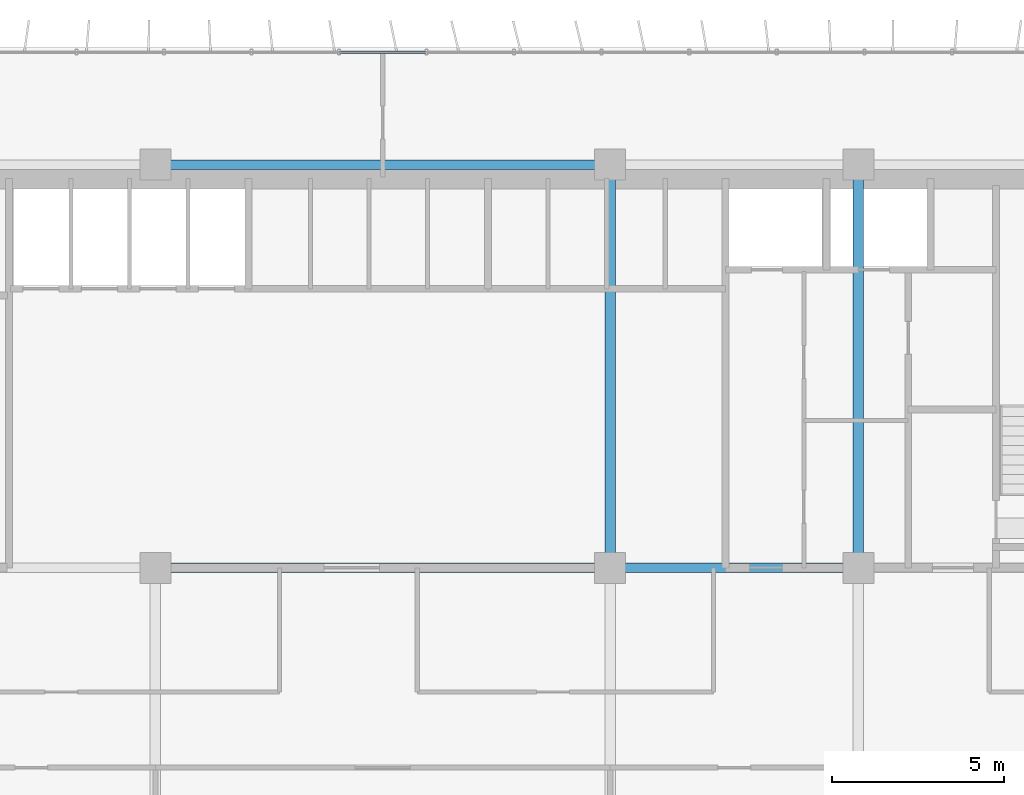
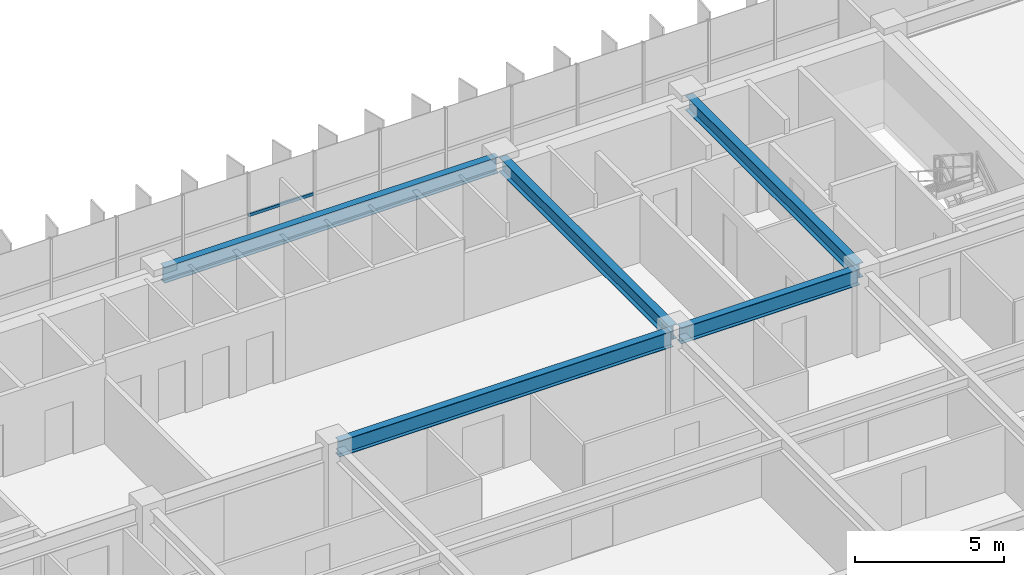
# One storey, part 9 of 21: 5 beams, 1 member, 1 element without a shape of its own.
"""IFC4 building model written with IfcOpenShell, lengths in metres."""

from ifc_helpers import new_model, si_unit, direction, frame, origin, origin_2d, place, context, subcontext, project, spatial, hollow_rectangle, i_section, extrude, source, transform, mapped, material, material_profile, profile_set, type_object, element, aggregate, save


model = new_model("IFC4")

# Units and contexts
model_context = context("Model", 3, precision=1e-05, world=origin(), true_north=direction((0.0, 1.0)))
body_context = subcontext(model_context, "Body", "Model", "MODEL_VIEW")
ifc_project = project(units=[si_unit("LENGTHUNIT", "METRE"), si_unit("AREAUNIT", "SQUARE_METRE"), si_unit("VOLUMEUNIT", "CUBIC_METRE"), si_unit("PLANEANGLEUNIT", "RADIAN"), si_unit("MASSUNIT", "GRAM", prefix="KILO")], contexts=[model_context])

# Site, building, storey
site_placement = place(None, origin())
site = spatial("IfcSite", under=ifc_project, at=site_placement, CompositionType="ELEMENT")
building_placement = place(site_placement, origin())
building = spatial("IfcBuilding", under=site, at=building_placement, Name="Trelvane Seafront Commons", CompositionType="ELEMENT")
storey_placement = place(building_placement, frame((0.0, 0.0, 37.89990234375)))
storey = spatial("IfcBuildingStorey", under=building, at=storey_placement, Name="L09", CompositionType="ELEMENT", Elevation=37.89990234375)

# Beams
ifc_material_1 = material(Name="Steel SM355 (S355)", Category="steel")
ifc_material_profile_1 = material_profile(ifc_material_1, i_section(OverallWidth=0.280029296875, OverallDepth=0.64990234375, WebThickness=0.012939453125, FlangeThickness=0.02197265625, at=origin_2d()), Name="H-650x280x13x22")
ifc_profile_set_1 = profile_set([ifc_material_profile_1], Name="Steel SM355 (S355)")
beam_type_1 = type_object("IfcBeamType", Name="STR-BM-H650", PredefinedType="BEAM", material=ifc_profile_set_1)
shared_shape_1 = source(origin(), body_context, "Body", "SweptSolid", [
    extrude(i_section(OverallWidth=0.280029296875, OverallDepth=0.64990234375, WebThickness=0.012939453125, FlangeThickness=0.02197265625, at=origin_2d()), origin(), (0.0, 0.0, 1.0), 12.89990234375),
])
for number, where, z_axis, x_axis, name in (
    (1, (30.75, 33.39990234375, 3.01513671875), (1.0, 0.0, 0.0), (0.0, 1.0, 0.0), "L09 Primary Girder G-23"),
    (2, (30.75, 45.10009765625, 3.01513671875), (1.0, 0.0, 0.0), (0.0, 1.0, 0.0), "L09 Primary Girder G-32"),
):
    element("IfcBeam", number, at=place(storey_placement, frame(where, z_axis=z_axis, x_axis=x_axis)), inside=storey, type_object=beam_type_1, Name=name, PredefinedType="BEAM", context=body_context, shape_type="MappedRepresentation", body=[
        mapped(shared_shape_1, transform((0.0, 0.0, 0.0), x_axis=(1.0, 0.0, 0.0), y_axis=(0.0, 1.0, 0.0), z_axis=(0.0, 0.0, 1.0), scale=1.0)),
    ])
shared_shape_2 = source(origin(), body_context, "Body", "SweptSolid", [
    extrude(i_section(OverallWidth=0.280029296875, OverallDepth=0.64990234375, WebThickness=0.012939453125, FlangeThickness=0.02197265625, at=origin_2d()), origin(), (0.0, 0.0, 1.0), 6.900146484375),
])
beam_placement = place(storey_placement, frame((43.949951171875, 33.39990234375, 3.01513671875), z_axis=(1.0, 0.0, 0.0), x_axis=(0.0, 1.0, 0.0)))
element("IfcBeam", 3, at=beam_placement, inside=storey, type_object=beam_type_1, Name="L09 Primary Girder G-24", PredefinedType="BEAM", context=body_context, shape_type="MappedRepresentation", body=[
    mapped(shared_shape_2, transform((0.0, 0.0, 0.0), x_axis=(1.0, 0.0, 0.0), y_axis=(0.0, 1.0, 0.0), z_axis=(0.0, 0.0, 1.0), scale=1.0)),
])
ifc_material_profile_2 = material_profile(ifc_material_1, i_section(OverallWidth=0.300048828125, OverallDepth=0.587890625, WebThickness=0.011962890625, FlangeThickness=0.02001953125, at=origin_2d()), Name="H-588x300x12x20")
ifc_profile_set_2 = profile_set([ifc_material_profile_2], Name="Steel SM355 (S355)")
beam_type_2 = type_object("IfcBeamType", Name="STR-BM-H588", PredefinedType="BEAM", material=ifc_profile_set_2)
shared_shape_3 = source(origin(), body_context, "Body", "SweptSolid", [
    extrude(i_section(OverallWidth=0.300048828125, OverallDepth=0.587890625, WebThickness=0.011962890625, FlangeThickness=0.02001953125, at=origin_2d()), origin(), (0.0, 0.0, 1.0), 11.39990234375),
])
for number, where, z_axis, x_axis, name in (
    (4, (43.800048828125, 33.550048828125, 3.046142578125), (0.0, 1.0, 0.0), (-1.0, 0.0, 0.0), "L09 Primary Girder G-54"),
    (5, (51.0, 33.550048828125, 3.046142578125), (0.0, 1.0, 0.0), (-1.0, 0.0, 0.0), "L09 Primary Girder G-57"),
):
    element("IfcBeam", number, at=place(storey_placement, frame(where, z_axis=z_axis, x_axis=x_axis)), inside=storey, type_object=beam_type_2, Name=name, PredefinedType="BEAM", context=body_context, shape_type="MappedRepresentation", body=[
        mapped(shared_shape_3, transform((0.0, 0.0, 0.0), x_axis=(1.0, 0.0, 0.0), y_axis=(0.0, 1.0, 0.0), z_axis=(0.0, 0.0, 1.0), scale=1.0)),
    ])

# Curtain wall, member
ifc_material_2 = material(Name="Anodised pale-silver aluminium", Category="aluminium")
curtain_wall_type = type_object("IfcCurtainWallType", Name="ARCH-CW2-LOWTOWER", PredefinedType="NOTDEFINED", material=ifc_material_2)
curtain_wall_placement = place(storey_placement, origin())
curtain_wall = element("IfcCurtainWall", 6, at=curtain_wall_placement, inside=storey, type_object=curtain_wall_type, Name="CW-L09-0033", PredefinedType="NOTDEFINED")
ifc_material_profile_3 = material_profile(ifc_material_2, hollow_rectangle(XDim=0.070068359375, YDim=0.1201171875, WallThickness=0.00390625, at=origin_2d()), Name="TRAN-70x120x4")
ifc_profile_set_3 = profile_set([ifc_material_profile_3], Name="Anodised pale-silver aluminium")
member_type = type_object("IfcMemberType", Name="ARCH-CW-TRAN-120", PredefinedType="USERDEFINED", material=ifc_profile_set_3)
shared_shape_4 = source(origin(), body_context, "Body", "SweptSolid", [
    extrude(hollow_rectangle(XDim=0.070068359375, YDim=0.1201171875, WallThickness=0.00390625, at=origin_2d()), origin(), (0.0, 0.0, 1.0), 2.51708984375),
])
member_placement = place(storey_placement, frame((35.94140625, 48.3701171875, 1.60302734375), z_axis=(1.0, 0.0, 0.0), x_axis=(0.0, 1.0, 0.0)))
member = element("IfcMember", 7, at=member_placement, type_object=member_type, Name="CW-L09-0033-T08", ObjectType="TRANSOM", PredefinedType="USERDEFINED", context=body_context, shape_type="MappedRepresentation", body=[
    mapped(shared_shape_4, transform((0.0, 0.0, 0.0), x_axis=(1.0, 0.0, 0.0), y_axis=(0.0, 1.0, 0.0), z_axis=(0.0, 0.0, 1.0), scale=1.0)),
])
aggregate(curtain_wall, [member])

save(model, "model.ifc")
